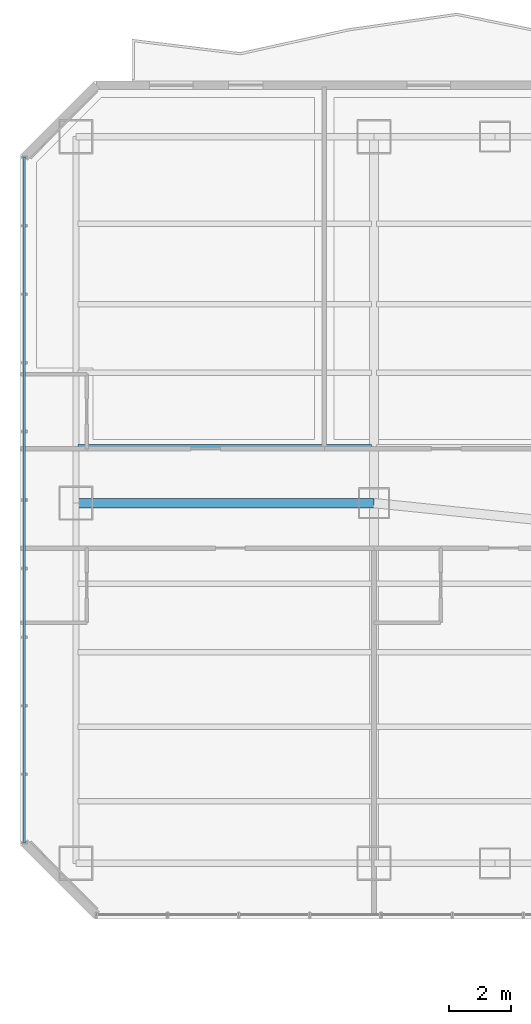
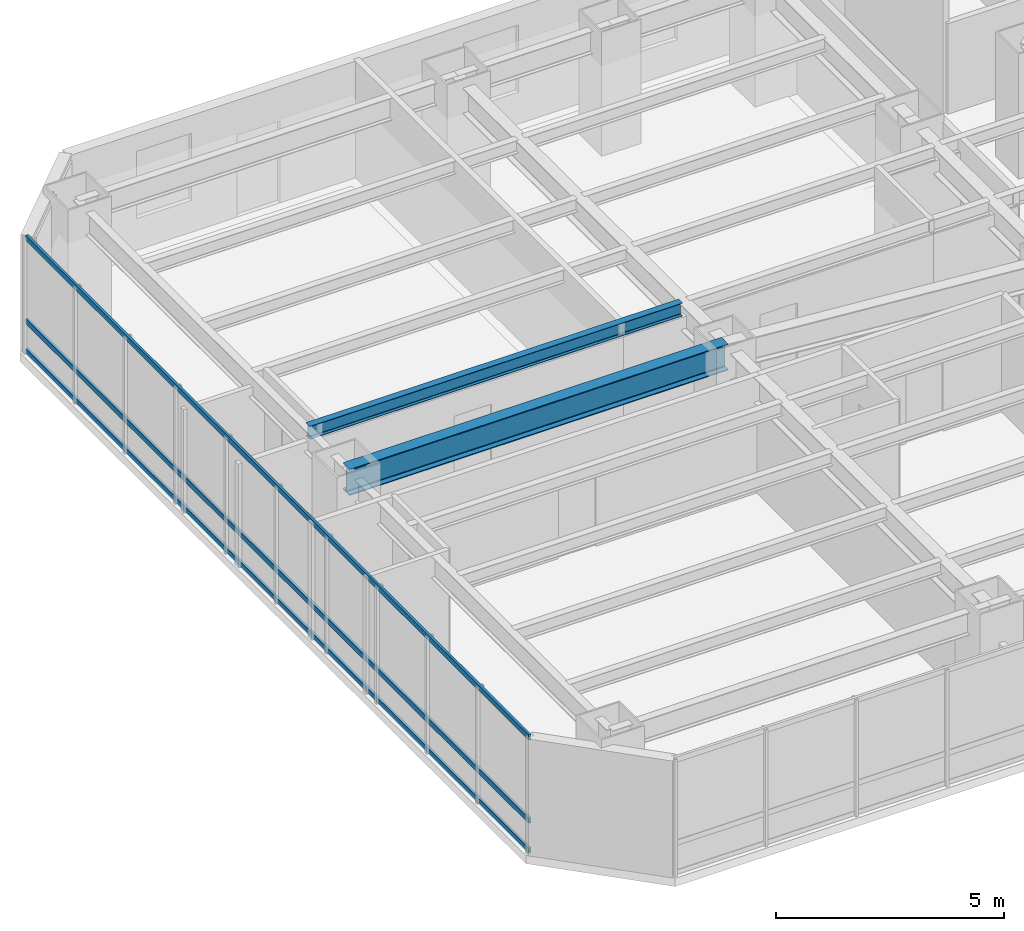
# One storey, part 13 of 33: 3 members, 2 beams, 1 element without a shape of its own.
"""IFC4 building model written with IfcOpenShell, lengths in metres."""

from ifc_helpers import new_model, si_unit, direction, frame, origin, origin_2d, place, context, subcontext, project, spatial, hollow_rectangle, i_section, extrude, material, layer, layer_set, material_profile, profile_set, type_object, element, aggregate, save


model = new_model("IFC4")

# Units and contexts
model_context = context("Model", 3, precision=1e-05, world=origin(), true_north=direction((0.0, 1.0)))
body_context = subcontext(model_context, "Body", "Model", "MODEL_VIEW")
ifc_project = project(units=[si_unit("LENGTHUNIT", "METRE"), si_unit("AREAUNIT", "SQUARE_METRE"), si_unit("VOLUMEUNIT", "CUBIC_METRE"), si_unit("PLANEANGLEUNIT", "RADIAN"), si_unit("MASSUNIT", "GRAM", prefix="KILO")], contexts=[model_context])

# Site, building, storey
site_placement = place(None, origin())
site = spatial("IfcSite", under=ifc_project, at=site_placement, CompositionType="ELEMENT")
building_placement = place(site_placement, origin())
building = spatial("IfcBuilding", under=site, at=building_placement, Name="Hatsunagi Terrace Concourse", CompositionType="ELEMENT")
storey_placement = place(building_placement, frame((0.0, 0.0, 53.35009765625)))
storey = spatial("IfcBuildingStorey", under=building, at=storey_placement, Name="L13", CompositionType="ELEMENT", Elevation=53.35009765625)

# Curtain wall, members
ifc_material_1 = material(Name="Anodised Aluminium Alloy 6063-T5", Category="aluminium")
ifc_layer = layer(ifc_material_1, 0.199951171875)
ifc_layer_set = layer_set([ifc_layer], Name="HotelFacade_CW02")
curtain_wall_type = type_object("IfcCurtainWallType", Name="HotelFacade_CW02", PredefinedType="NOTDEFINED", material=ifc_layer_set)
curtain_wall_placement = place(storey_placement, origin())
curtain_wall = element("IfcCurtainWall", 1, at=curtain_wall_placement, inside=storey, type_object=curtain_wall_type, Name="Unitised Curtain Wall CW-02 CW-L13-09", PredefinedType="NOTDEFINED")
ifc_material_2 = material(Name="Anodised Aluminium Alloy 6063-T5", Category="aluminium")
ifc_material_profile_1 = material_profile(ifc_material_2, hollow_rectangle(XDim=0.06494140625, YDim=0.139892578125, WallThickness=0.00390625, at=origin_2d()), Name="ALU-TRN-140x65x4")
ifc_profile_set_1 = profile_set([ifc_material_profile_1], Name="Anodised Aluminium Alloy 6063-T5")
member_type = type_object("IfcMemberType", Name="CurtainWallTransom_140x65", PredefinedType="USERDEFINED", material=ifc_profile_set_1)
member_1_placement = place(storey_placement, frame((0.139892578125, 25.85791015625, 0.0498046875), z_axis=(0.0, 1.0, 0.0), x_axis=(-1.0, 0.0, 0.0)))
member_1 = element("IfcMember", 2, at=member_1_placement, type_object=member_type, Name="Curtain Wall Transom TRN-02", ObjectType="TRANSOM", PredefinedType="USERDEFINED", context=body_context, shape_type="SweptSolid", body=[
    extrude(hollow_rectangle(XDim=0.06494140625, YDim=0.139892578125, WallThickness=0.00390625, at=origin_2d()), origin(), (0.0, 0.0, 1.0), 22.083984375),
])
member_2_placement = place(storey_placement, frame((0.139892578125, 25.85791015625, 0.849853515625), z_axis=(0.0, 1.0, 0.0), x_axis=(-1.0, 0.0, 0.0)))
member_2 = element("IfcMember", 3, at=member_2_placement, type_object=member_type, Name="Curtain Wall Transom TRN-02", ObjectType="TRANSOM", PredefinedType="USERDEFINED", context=body_context, shape_type="SweptSolid", body=[
    extrude(hollow_rectangle(XDim=0.06494140625, YDim=0.139892578125, WallThickness=0.00390625, at=origin_2d()), origin(), (0.0, 0.0, 1.0), 22.083984375),
])
member_3_placement = place(storey_placement, frame((0.139892578125, 25.85791015625, 3.079833984375), z_axis=(0.0, 1.0, 0.0), x_axis=(-1.0, 0.0, 0.0)))
member_3 = element("IfcMember", 4, at=member_3_placement, type_object=member_type, Name="Curtain Wall Transom TRN-02", ObjectType="TRANSOM", PredefinedType="USERDEFINED", context=body_context, shape_type="SweptSolid", body=[
    extrude(hollow_rectangle(XDim=0.06494140625, YDim=0.139892578125, WallThickness=0.00390625, at=origin_2d()), origin(), (0.0, 0.0, 1.0), 22.083984375),
])
aggregate(curtain_wall, [member_1, member_2, member_3])

# Beams
ifc_material_3 = material(Name="Steel SN490B", Category="steel")
ifc_material_profile_2 = material_profile(ifc_material_3, i_section(OverallWidth=0.300048828125, OverallDepth=0.699951171875, WebThickness=0.012939453125, FlangeThickness=0.02392578125, FilletRadius=0.02197265625, at=origin_2d()), Name="H-700x300x13x24")
ifc_profile_set_2 = profile_set([ifc_material_profile_2], Name="Steel SN490B")
beam_type_1 = type_object("IfcBeamType", Name="HotelFloorGirder_H_700x300", PredefinedType="BEAM", material=ifc_profile_set_2)
beam_1_placement = place(storey_placement, frame((1.800048828125, 36.800048828125, 2.77978515625), z_axis=(1.0, 0.0, 0.0), x_axis=(0.0, 1.0, 0.0)))
element("IfcBeam", 5, at=beam_1_placement, inside=storey, type_object=beam_type_1, Name="Beam G-04 BM-L13-EW-1", PredefinedType="BEAM", context=body_context, shape_type="SweptSolid", body=[
    extrude(i_section(OverallWidth=0.300048828125, OverallDepth=0.699951171875, WebThickness=0.012939453125, FlangeThickness=0.02392578125, FilletRadius=0.02197265625, at=origin_2d()), origin(), (0.0, 0.0, 1.0), 9.599853515625),
])
ifc_material_4 = material(Name="Steel SN490B", Category="steel")
ifc_material_profile_3 = material_profile(ifc_material_4, i_section(OverallWidth=0.175048828125, OverallDepth=0.35009765625, WebThickness=0.007080078125, FlangeThickness=0.010986328125, FilletRadius=0.012939453125, at=origin_2d()), Name="H-350x175x7x11")
ifc_profile_set_3 = profile_set([ifc_material_profile_3], Name="Steel SN490B")
beam_type_2 = type_object("IfcBeamType", Name="HotelJoist_H_350x175", PredefinedType="JOIST", material=ifc_profile_set_3)
beam_2_placement = place(storey_placement, frame((1.864990234375, 38.60009765625, 2.954833984375), z_axis=(1.0, 0.0, 0.0), x_axis=(0.0, 1.0, 0.0)))
element("IfcBeam", 6, at=beam_2_placement, inside=storey, type_object=beam_type_2, Name="Beam J-02 J-L13-W-1-386", PredefinedType="JOIST", context=body_context, shape_type="SweptSolid", body=[
    extrude(i_section(OverallWidth=0.175048828125, OverallDepth=0.35009765625, WebThickness=0.007080078125, FlangeThickness=0.010986328125, FilletRadius=0.012939453125, at=origin_2d()), origin(), (0.0, 0.0, 1.0), 9.449951171875),
])

save(model, "model.ifc")
